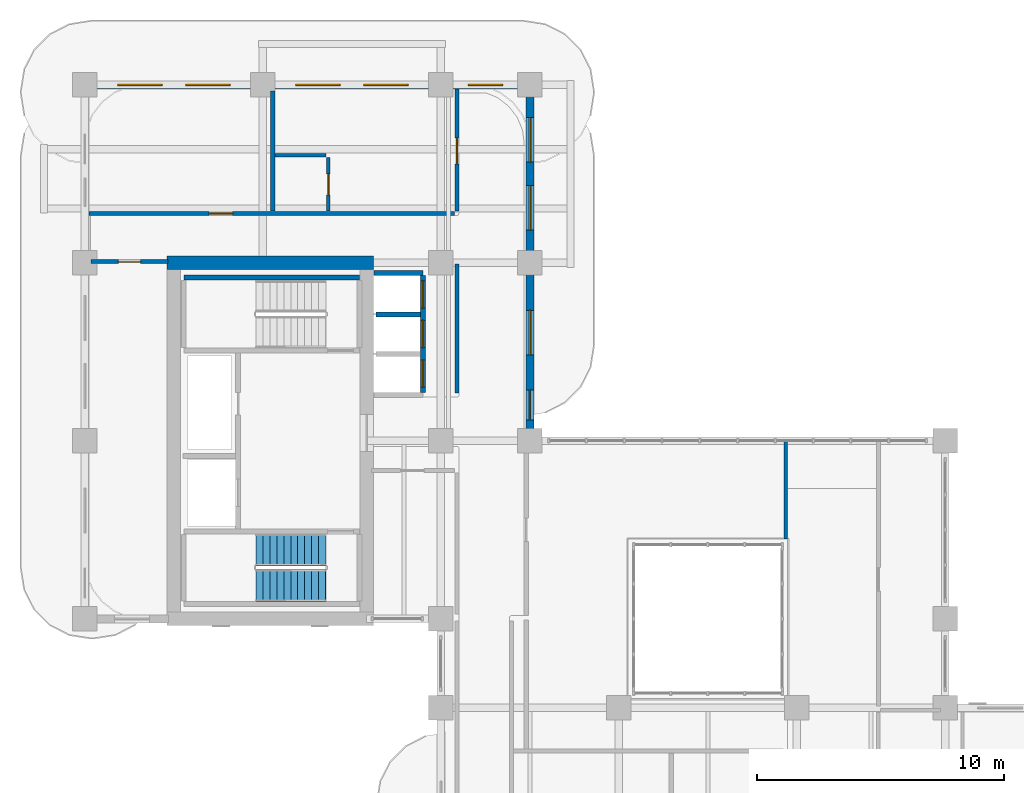
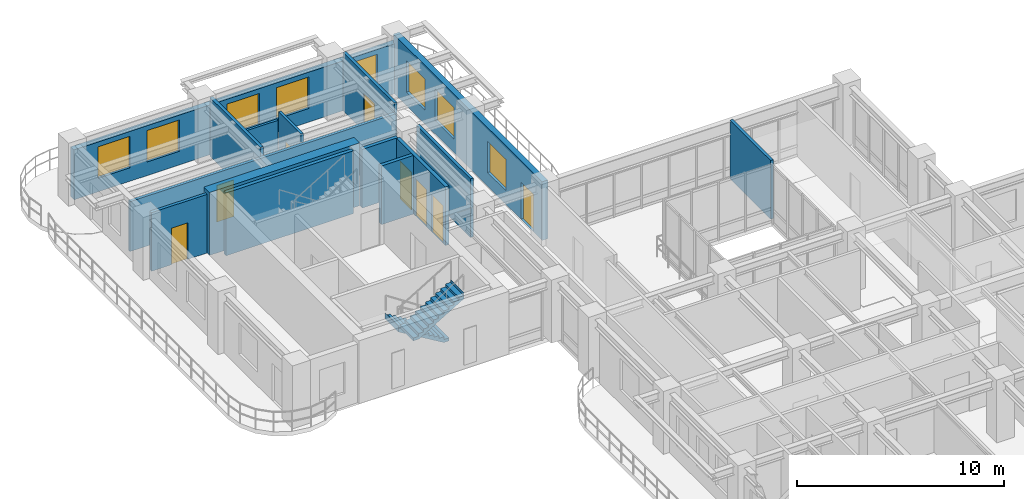
# One storey, part 15 of 20: 15 walls, 8 doors, 8 windows, 2 stair flights, 16 openings, 1 element without a shape of its own.
"""IFC4 building model written with IfcOpenShell, lengths in metres."""

from ifc_helpers import new_model, si_unit, derived_unit, direction, frame, frame_2d, origin, place, context, subcontext, project, spatial, polyline, rectangle, outline, extrude, source, transform, mapped, material, layer, layer_set, type_object, type_shapes, element, fill, aggregate, save


model = new_model("IFC4")

# Units and contexts
model_context = context("Model", 3, precision=1e-05, world=origin(), true_north=direction((0.0, 1.0)))
body_context = subcontext(model_context, "Body", "Model", "MODEL_VIEW")
ifc_project = project(units=[si_unit("LENGTHUNIT", "METRE"), si_unit("AREAUNIT", "SQUARE_METRE"), si_unit("VOLUMEUNIT", "CUBIC_METRE"), si_unit("PLANEANGLEUNIT", "RADIAN"), si_unit("MASSUNIT", "GRAM", prefix="KILO"), si_unit("THERMODYNAMICTEMPERATUREUNIT", "KELVIN"), si_unit("POWERUNIT", "WATT"), derived_unit("THERMALTRANSMITTANCEUNIT", [(si_unit("POWERUNIT", "WATT"), 1), (si_unit("AREAUNIT", "SQUARE_METRE"), -1), (si_unit("THERMODYNAMICTEMPERATUREUNIT", "KELVIN"), -1)])], contexts=[model_context])

# Site, building, storey
site_placement = place(None, origin())
site = spatial("IfcSite", under=ifc_project, at=site_placement, CompositionType="ELEMENT")
building_placement = place(site_placement, origin())
building = spatial("IfcBuilding", under=site, at=building_placement, Name="Zahravan Archway Hotel and Residences", CompositionType="ELEMENT")
storey_placement = place(building_placement, frame((0.0, 0.0, 115.5)))
storey = spatial("IfcBuildingStorey", under=building, at=storey_placement, Name="L28", CompositionType="ELEMENT", Elevation=115.5)

# Wall
ifc_material_1 = material(Name="Concrete C70/85", Category="concrete")
ifc_layer_1 = layer(ifc_material_1, 0.550048828125, Name="Concrete C70/85", Category="concrete")
ifc_layer_set_1 = layer_set([ifc_layer_1], Name="Concrete C70/85")
wall_type_1 = type_object("IfcWallType", Name="CW-CORE-550", PredefinedType="SHEAR", material=ifc_layer_set_1)
wall_1_placement = place(storey_placement, frame((3.324951171875, 39.60009765625, 0.0), z_axis=(0.0, 0.0, 1.0), x_axis=(1.0, 0.0, 0.0)))
element("IfcWall", 1, at=wall_1_placement, inside=storey, type_object=wall_type_1, Name="L28 Core B Shear N Wall 550 mm", PredefinedType="SHEAR", context=body_context, shape_type="SweptSolid", body=[
    extrude(rectangle(XDim=8.35009765625, YDim=0.550048828125, at=frame_2d((4.175048828125, 0.0))), origin(), (0.0, 0.0, 1.0), 3.699951171875),
])

# Wall, openings, windows
ifc_material_2 = material(Name="Agra Buff Sandstone & Insulated Backup", Category="masonry")
ifc_layer_2 = layer(ifc_material_2, 0.320068359375, Name="Agra Buff Sandstone & Insulated Backup", Category="masonry")
ifc_layer_set_2 = layer_set([ifc_layer_2], Name="Agra Buff Sandstone & Insulated Backup")
wall_type_2 = type_object("IfcWallType", Name="EW-SAND-320", PredefinedType="SOLIDWALL", material=ifc_layer_set_2)
wall_2_placement = place(storey_placement, frame((0.0, 46.800048828125, 0.0), z_axis=(0.0, 0.0, 1.0), x_axis=(1.0, 0.0, 0.0)))
wall_2 = element("IfcWall", 2, at=wall_2_placement, inside=storey, type_object=wall_type_2, Name="L28 Exterior Sandstone Wall WB-N", PredefinedType="SOLIDWALL", context=body_context, shape_type="SweptSolid", body=[
    extrude(rectangle(XDim=18.0, YDim=0.320068359375, at=frame_2d((9.0, 0.0))), origin(), (0.0, 0.0, 1.0), 2.93505859375),
])
opening_1_placement = place(wall_2_placement, frame((1.324951171875, 0.0, 0.800048828125)))
opening_1 = element("IfcOpeningElement", 3, at=opening_1_placement, cuts=wall_2, Name="Opening W-02", PredefinedType="OPENING", context=body_context, shape_type="SweptSolid", body=[
    extrude(rectangle(XDim=1.800048828125, YDim=1.85009765625, at=frame_2d((0.89990234375, 0.925048828125))), frame((0.0, 0.169921875, 0.0), z_axis=(0.0, -1.0, 0.0), x_axis=(1.0, 0.0, 0.0)), (0.0, 0.0, 1.0), 0.340087890625),
])
opening_2_placement = place(wall_2_placement, frame((4.074951171875, 0.0, 0.800048828125)))
opening_2 = element("IfcOpeningElement", 4, at=opening_2_placement, cuts=wall_2, Name="Opening W-02", PredefinedType="OPENING", context=body_context, shape_type="SweptSolid", body=[
    extrude(rectangle(XDim=1.800048828125, YDim=1.85009765625, at=frame_2d((0.89990234375, 0.925048828125))), frame((0.0, 0.169921875, 0.0), z_axis=(0.0, -1.0, 0.0), x_axis=(1.0, 0.0, 0.0)), (0.0, 0.0, 1.0), 0.340087890625),
])
opening_3_placement = place(wall_2_placement, frame((8.52490234375, 0.0, 0.800048828125)))
opening_3 = element("IfcOpeningElement", 5, at=opening_3_placement, cuts=wall_2, Name="Opening W-02", PredefinedType="OPENING", context=body_context, shape_type="SweptSolid", body=[
    extrude(rectangle(XDim=1.800048828125, YDim=1.85009765625, at=frame_2d((0.89990234375, 0.925048828125))), frame((0.0, 0.169921875, 0.0), z_axis=(0.0, -1.0, 0.0), x_axis=(1.0, 0.0, 0.0)), (0.0, 0.0, 1.0), 0.340087890625),
])
opening_4_placement = place(wall_2_placement, frame((11.27490234375, 0.0, 0.800048828125)))
opening_4 = element("IfcOpeningElement", 6, at=opening_4_placement, cuts=wall_2, Name="Opening W-02", PredefinedType="OPENING", context=body_context, shape_type="SweptSolid", body=[
    extrude(rectangle(XDim=1.800048828125, YDim=1.85009765625, at=frame_2d((0.89990234375, 0.925048828125))), frame((0.0, 0.169921875, 0.0), z_axis=(0.0, -1.0, 0.0), x_axis=(1.0, 0.0, 0.0)), (0.0, 0.0, 1.0), 0.340087890625),
])
opening_5_placement = place(wall_2_placement, frame((15.5, 0.0, 0.800048828125)))
opening_5 = element("IfcOpeningElement", 7, at=opening_5_placement, cuts=wall_2, Name="Opening W-03", PredefinedType="OPENING", context=body_context, shape_type="SweptSolid", body=[
    extrude(rectangle(XDim=1.39990234375, YDim=1.85009765625, at=frame_2d((0.699951171875, 0.925048828125))), frame((0.0, 0.169921875, 0.0), z_axis=(0.0, -1.0, 0.0), x_axis=(1.0, 0.0, 0.0)), (0.0, 0.0, 1.0), 0.340087890625),
])
ifc_material_3 = material(Name="Bronze-Anodized Thermal-Break Aluminium & Low-E Glass", Category="aluminium")
window_type_1 = type_object("IfcWindowType", Name="WIN-TWR-1400", PartitioningType="SINGLE_PANEL", PredefinedType="WINDOW", material=ifc_material_3)
shared_shape_1 = source(origin(), body_context, "Body", "SweptSolid", [
    extrude(rectangle(XDim=1.39990234375, YDim=1.85009765625, at=frame_2d((0.699951171875, 0.925048828125))), frame((0.0, 0.030029296875, 0.0), z_axis=(0.0, -1.0, 0.0), x_axis=(1.0, 0.0, 0.0)), (0.0, 0.0, 1.0), 0.06005859375),
])
type_shapes(window_type_1, [shared_shape_1])
window_1_placement = place(opening_5_placement, origin())
window_1 = element("IfcWindow", 8, at=window_1_placement, inside=storey, type_object=window_type_1, Name="L28 Loggia Window 30", OverallHeight=1.85009765625, OverallWidth=1.39990234375, PartitioningType="SINGLE_PANEL", PredefinedType="WINDOW", context=body_context, shape_type="MappedRepresentation", body=[
    mapped(shared_shape_1, transform((0.0, 0.0, 0.0), scale=1.0)),
])
fill(opening_5, window_1)
window_type_2 = type_object("IfcWindowType", Name="WIN-TWR-1800", PartitioningType="DOUBLE_PANEL_VERTICAL", PredefinedType="WINDOW", material=ifc_material_3)
shared_shape_2 = source(origin(), body_context, "Body", "SweptSolid", [
    extrude(rectangle(XDim=1.800048828125, YDim=1.85009765625, at=frame_2d((0.89990234375, 0.925048828125))), frame((0.0, 0.030029296875, 0.0), z_axis=(0.0, -1.0, 0.0), x_axis=(1.0, 0.0, 0.0)), (0.0, 0.0, 1.0), 0.06005859375),
])
type_shapes(window_type_2, [shared_shape_2])
window_2_placement = place(opening_1_placement, origin())
window_2 = element("IfcWindow", 9, at=window_2_placement, inside=storey, type_object=window_type_2, Name="L28 Loggia Window 26", OverallHeight=1.85009765625, OverallWidth=1.800048828125, PartitioningType="DOUBLE_PANEL_VERTICAL", PredefinedType="WINDOW", context=body_context, shape_type="MappedRepresentation", body=[
    mapped(shared_shape_2, transform((0.0, 0.0, 0.0), scale=1.0)),
])
fill(opening_1, window_2)
window_3_placement = place(opening_2_placement, origin())
window_3 = element("IfcWindow", 10, at=window_3_placement, inside=storey, type_object=window_type_2, Name="L28 Loggia Window 27", OverallHeight=1.85009765625, OverallWidth=1.800048828125, PartitioningType="DOUBLE_PANEL_VERTICAL", PredefinedType="WINDOW", context=body_context, shape_type="MappedRepresentation", body=[
    mapped(shared_shape_2, transform((0.0, 0.0, 0.0), scale=1.0)),
])
fill(opening_2, window_3)
window_4_placement = place(opening_3_placement, origin())
window_4 = element("IfcWindow", 11, at=window_4_placement, inside=storey, type_object=window_type_2, Name="L28 Loggia Window 28", OverallHeight=1.85009765625, OverallWidth=1.800048828125, PartitioningType="DOUBLE_PANEL_VERTICAL", PredefinedType="WINDOW", context=body_context, shape_type="MappedRepresentation", body=[
    mapped(shared_shape_2, transform((0.0, 0.0, 0.0), scale=1.0)),
])
fill(opening_3, window_4)
window_5_placement = place(opening_4_placement, origin())
window_5 = element("IfcWindow", 12, at=window_5_placement, inside=storey, type_object=window_type_2, Name="L28 Loggia Window 29", OverallHeight=1.85009765625, OverallWidth=1.800048828125, PartitioningType="DOUBLE_PANEL_VERTICAL", PredefinedType="WINDOW", context=body_context, shape_type="MappedRepresentation", body=[
    mapped(shared_shape_2, transform((0.0, 0.0, 0.0), scale=1.0)),
])
fill(opening_4, window_5)

# Wall, openings, door, windows
wall_3_placement = place(storey_placement, frame((18.0, 32.39990234375, 0.0), z_axis=(0.0, 0.0, 1.0), x_axis=(0.0, 1.0, 0.0)))
wall_3 = element("IfcWall", 13, at=wall_3_placement, inside=storey, type_object=wall_type_2, Name="L28 Exterior Sandstone Wall WB-EU", PredefinedType="SOLIDWALL", context=body_context, shape_type="SweptSolid", body=[
    extrude(rectangle(XDim=14.35009765625, YDim=0.320068359375, at=frame_2d((7.175048828125, 0.0))), origin(), (0.0, 0.0, 1.0), 3.449951171875),
])
opening_6_placement = place(wall_3_placement, frame((0.85009765625, 0.0, 0.0)))
opening_6 = element("IfcOpeningElement", 14, at=opening_6_placement, cuts=wall_3, Name="Opening ED-BL1", PredefinedType="OPENING", context=body_context, shape_type="SweptSolid", body=[
    extrude(rectangle(XDim=1.199951171875, YDim=2.199951171875, at=frame_2d((0.60009765625, 1.10009765625))), frame((0.0, 0.169921875, 0.0), z_axis=(0.0, -1.0, 0.0), x_axis=(1.0, 0.0, 0.0)), (0.0, 0.0, 1.0), 0.340087890625),
])
opening_7_placement = place(wall_3_placement, frame((3.47509765625, 0.0, 0.800048828125)))
opening_7 = element("IfcOpeningElement", 15, at=opening_7_placement, cuts=wall_3, Name="Opening W-02", PredefinedType="OPENING", context=body_context, shape_type="SweptSolid", body=[
    extrude(rectangle(XDim=1.800048828125, YDim=1.85009765625, at=frame_2d((0.89990234375, 0.925048828125))), frame((0.0, 0.169921875, 0.0), z_axis=(0.0, -1.0, 0.0), x_axis=(1.0, 0.0, 0.0)), (0.0, 0.0, 1.0), 0.340087890625),
])
opening_8_placement = place(wall_3_placement, frame((8.52490234375, 0.0, 0.800048828125)))
opening_8 = element("IfcOpeningElement", 16, at=opening_8_placement, cuts=wall_3, Name="Opening W-02", PredefinedType="OPENING", context=body_context, shape_type="SweptSolid", body=[
    extrude(rectangle(XDim=1.800048828125, YDim=1.85009765625, at=frame_2d((0.89990234375, 0.925048828125))), frame((0.0, 0.169921875, 0.0), z_axis=(0.0, -1.0, 0.0), x_axis=(1.0, 0.0, 0.0)), (0.0, 0.0, 1.0), 0.340087890625),
])
opening_9_placement = place(wall_3_placement, frame((11.27490234375, 0.0, 0.800048828125)))
opening_9 = element("IfcOpeningElement", 17, at=opening_9_placement, cuts=wall_3, Name="Opening W-02", PredefinedType="OPENING", context=body_context, shape_type="SweptSolid", body=[
    extrude(rectangle(XDim=1.800048828125, YDim=1.85009765625, at=frame_2d((0.89990234375, 0.925048828125))), frame((0.0, 0.169921875, 0.0), z_axis=(0.0, -1.0, 0.0), x_axis=(1.0, 0.0, 0.0)), (0.0, 0.0, 1.0), 0.340087890625),
])
ifc_material_4 = material(Name="Bronze-Anodized Glazed Aluminium", Category="aluminium")
door_type_1 = type_object("IfcDoorType", Name="ED-BALC-1200", OperationType="SLIDING_TO_LEFT", PredefinedType="DOOR", material=ifc_material_4)
shared_shape_3 = source(origin(), body_context, "Body", "SweptSolid", [
    extrude(rectangle(XDim=1.199951171875, YDim=2.199951171875, at=frame_2d((0.60009765625, 1.10009765625))), frame((0.0, 0.02490234375, 0.0), z_axis=(0.0, -1.0, 0.0), x_axis=(1.0, 0.0, 0.0)), (0.0, 0.0, 1.0), 0.050048828125),
])
type_shapes(door_type_1, [shared_shape_3])
door_1_placement = place(opening_6_placement, origin())
door_1 = element("IfcDoor", 18, at=door_1_placement, inside=storey, type_object=door_type_1, Name="L28 Outdoor Access Sliding Door (SLB-BAL-L28-EB)", OperationType="SLIDING_TO_LEFT", OverallHeight=2.199951171875, OverallWidth=1.199951171875, PredefinedType="DOOR", context=body_context, shape_type="MappedRepresentation", body=[
    mapped(shared_shape_3, transform((0.0, 0.0, 0.0), scale=1.0)),
])
fill(opening_6, door_1)
window_6_placement = place(opening_7_placement, origin())
window_6 = element("IfcWindow", 19, at=window_6_placement, inside=storey, type_object=window_type_2, Name="L28 Loggia Window 31", OverallHeight=1.85009765625, OverallWidth=1.800048828125, PartitioningType="DOUBLE_PANEL_VERTICAL", PredefinedType="WINDOW", context=body_context, shape_type="MappedRepresentation", body=[
    mapped(shared_shape_2, transform((0.0, 0.0, 0.0), scale=1.0)),
])
fill(opening_7, window_6)
window_7_placement = place(opening_8_placement, origin())
window_7 = element("IfcWindow", 20, at=window_7_placement, inside=storey, type_object=window_type_2, Name="L28 Loggia Window 32", OverallHeight=1.85009765625, OverallWidth=1.800048828125, PartitioningType="DOUBLE_PANEL_VERTICAL", PredefinedType="WINDOW", context=body_context, shape_type="MappedRepresentation", body=[
    mapped(shared_shape_2, transform((0.0, 0.0, 0.0), scale=1.0)),
])
fill(opening_8, window_7)
window_8_placement = place(opening_9_placement, origin())
window_8 = element("IfcWindow", 21, at=window_8_placement, inside=storey, type_object=window_type_2, Name="L28 Loggia Window 33", OverallHeight=1.85009765625, OverallWidth=1.800048828125, PartitioningType="DOUBLE_PANEL_VERTICAL", PredefinedType="WINDOW", context=body_context, shape_type="MappedRepresentation", body=[
    mapped(shared_shape_2, transform((0.0, 0.0, 0.0), scale=1.0)),
])
fill(opening_9, window_8)

# Wall
ifc_material_5 = material(Name="Fire-Rated Gypsum & Concrete Block", Category="concrete")
ifc_layer_3 = layer(ifc_material_5, 0.159912109375, Name="Fire-Rated Gypsum & Concrete Block", Category="concrete")
ifc_layer_set_3 = layer_set([ifc_layer_3], Name="Fire-Rated Gypsum & Concrete Block")
wall_type_3 = type_object("IfcWallType", Name="PW-CORR-160", PredefinedType="PARTITIONING", material=ifc_layer_set_3)
wall_4_placement = place(storey_placement, frame((15.050048828125, 34.340087890625, 0.0), z_axis=(0.0, 0.0, 1.0), x_axis=(0.0, 1.0, 0.0)))
element("IfcWall", 22, at=wall_4_placement, inside=storey, type_object=wall_type_3, Name="L28 Partition WBN-CL", PredefinedType="PARTITIONING", context=body_context, shape_type="SweptSolid", body=[
    extrude(rectangle(XDim=5.219970703125, YDim=0.159912109375, at=frame_2d((2.60986328125, 0.0))), origin(), (0.0, 0.0, 1.0), 3.449951171875),
])

# Wall, opening, door
wall_5_placement = place(storey_placement, frame((15.050048828125, 41.68994140625, 0.0), z_axis=(0.0, 0.0, 1.0), x_axis=(0.0, 1.0, 0.0)))
wall_5 = element("IfcWall", 23, at=wall_5_placement, inside=storey, type_object=wall_type_3, Name="L28 Partition WBN-CU", PredefinedType="PARTITIONING", context=body_context, shape_type="SweptSolid", body=[
    extrude(rectangle(XDim=4.942138671875, YDim=0.159912109375, at=frame_2d((2.47119140625, 0.0))), origin(), (0.0, 0.0, 1.0), 3.449951171875),
])
opening_10_placement = place(wall_5_placement, frame((1.909912109375, 0.0, 0.0)))
opening_10 = element("IfcOpeningElement", 24, at=opening_10_placement, cuts=wall_5, Name="Opening D-U1", PredefinedType="OPENING", context=body_context, shape_type="SweptSolid", body=[
    extrude(rectangle(XDim=1.050048828125, YDim=2.25, at=frame_2d((0.52490234375, 1.125))), frame((0.0, 0.08984375, 0.0), z_axis=(0.0, -1.0, 0.0), x_axis=(1.0, 0.0, 0.0)), (0.0, 0.0, 1.0), 0.179931640625),
])
ifc_material_6 = material(Name="Hardwood Veneer Timber", Category="wood")
door_type_2 = type_object("IfcDoorType", Name="ID-UNIT-1050", OperationType="NOTDEFINED", PredefinedType="DOOR", material=ifc_material_6)
shared_shape_4 = source(origin(), body_context, "Body", "SweptSolid", [
    extrude(rectangle(XDim=1.050048828125, YDim=2.25, at=frame_2d((0.52490234375, 1.125))), frame((0.0, 0.02490234375, 0.0), z_axis=(0.0, -1.0, 0.0), x_axis=(1.0, 0.0, 0.0)), (0.0, 0.0, 1.0), 0.050048828125),
])
type_shapes(door_type_2, [shared_shape_4])
door_2_placement = place(opening_10_placement, origin())
door_2 = element("IfcDoor", 25, at=door_2_placement, inside=storey, type_object=door_type_2, Name="L28 Hotel Guestroom 78 Entrance Door", OperationType="SINGLE_SWING_LEFT", OverallHeight=2.25, OverallWidth=1.050048828125, PredefinedType="DOOR", context=body_context, shape_type="MappedRepresentation", body=[
    mapped(shared_shape_4, transform((0.0, 0.0, 0.0), scale=1.0)),
])
fill(opening_10, door_2)

wall_6_placement = place(storey_placement, frame((0.16796875, 41.60009765625, 0.0), z_axis=(0.0, 0.0, 1.0), x_axis=(1.0, 0.0, 0.0)))
wall_6 = element("IfcWall", 26, at=wall_6_placement, inside=storey, type_object=wall_type_3, Name="L28 Partition WBN-S2", PredefinedType="PARTITIONING", context=body_context, shape_type="SweptSolid", body=[
    extrude(rectangle(XDim=14.7919921875, YDim=0.159912109375, at=frame_2d((7.39599609375, 0.0))), origin(), (0.0, 0.0, 1.0), 2.93505859375),
])
opening_11_placement = place(wall_6_placement, frame((4.85693359375, 0.0, 0.0)))
opening_11 = element("IfcOpeningElement", 27, at=opening_11_placement, cuts=wall_6, Name="Opening D-I1", PredefinedType="OPENING", context=body_context, shape_type="SweptSolid", body=[
    extrude(rectangle(XDim=0.949951171875, YDim=2.14990234375, at=frame_2d((0.47509765625, 1.074951171875))), frame((0.0, 0.08984375, 0.0), z_axis=(0.0, -1.0, 0.0), x_axis=(1.0, 0.0, 0.0)), (0.0, 0.0, 1.0), 0.179931640625),
])
door_type_3 = type_object("IfcDoorType", Name="ID-INT-950", OperationType="NOTDEFINED", PredefinedType="DOOR", material=ifc_material_6)
shared_shape_5 = source(origin(), body_context, "Body", "SweptSolid", [
    extrude(rectangle(XDim=0.949951171875, YDim=2.14990234375, at=frame_2d((0.47509765625, 1.074951171875))), frame((0.0, 0.02490234375, 0.0), z_axis=(0.0, -1.0, 0.0), x_axis=(1.0, 0.0, 0.0)), (0.0, 0.0, 1.0), 0.050048828125),
])
type_shapes(door_type_3, [shared_shape_5])
door_3_placement = place(opening_11_placement, origin())
door_3 = element("IfcDoor", 28, at=door_3_placement, inside=storey, type_object=door_type_3, Name="L28 North West Study Door", OperationType="SINGLE_SWING_LEFT", OverallHeight=2.14990234375, OverallWidth=0.949951171875, PredefinedType="DOOR", context=body_context, shape_type="MappedRepresentation", body=[
    mapped(shared_shape_5, transform((0.0, 0.0, 0.0), scale=1.0)),
])
fill(opening_11, door_3)

# Walls
wall_7_placement = place(storey_placement, frame((28.35009765625, 28.43994140625, 0.0), z_axis=(0.0, 0.0, 1.0), x_axis=(0.0, 1.0, 0.0)))
element("IfcWall", 29, at=wall_7_placement, inside=storey, type_object=wall_type_3, Name="L28 Partition ATR-NWE", PredefinedType="PARTITIONING", context=body_context, shape_type="SweptSolid", body=[
    extrude(rectangle(XDim=3.93212890625, YDim=0.159912109375, at=frame_2d((1.966064453125, 0.0))), origin(), (0.0, 0.0, 1.0), 3.449951171875),
])
ifc_layer_4 = layer(ifc_material_5, 0.199951171875, Name="Fire-Rated Gypsum & Concrete Block", Category="concrete")
ifc_layer_set_4 = layer_set([ifc_layer_4], Name="Fire-Rated Gypsum & Concrete Block")
wall_type_4 = type_object("IfcWallType", Name="PW-SHAFT-200", PredefinedType="PARTITIONING", material=ifc_layer_set_4)
wall_8_placement = place(storey_placement, frame((11.68505859375, 39.18994140625, 0.0), z_axis=(0.0, 0.0, 1.0), x_axis=(1.0, 0.0, 0.0)))
element("IfcWall", 30, at=wall_8_placement, inside=storey, type_object=wall_type_4, Name="L28 Partition B2-N", PredefinedType="PARTITIONING", context=body_context, shape_type="SweptSolid", body=[
    extrude(rectangle(XDim=1.98486328125, YDim=0.199951171875, at=frame_2d((0.992431640625, 0.0))), origin(), (0.0, 0.0, 1.0), 3.449951171875),
])

# Wall, openings, doors
wall_9_placement = place(storey_placement, frame((13.679931640625, 34.360107421875, 0.0), z_axis=(0.0, 0.0, 1.0), x_axis=(0.0, 1.0, 0.0)))
wall_9 = element("IfcWall", 31, at=wall_9_placement, inside=storey, type_object=wall_type_4, Name="L28 Partition B2-E", PredefinedType="PARTITIONING", context=body_context, shape_type="SweptSolid", body=[
    extrude(rectangle(XDim=4.719970703125, YDim=0.199951171875, at=frame_2d((2.35986328125, 0.0))), origin(), (0.0, 0.0, 1.0), 3.449951171875),
])
opening_12_placement = place(wall_9_placement, frame((0.2099609375, 0.0, 0.0)))
opening_12 = element("IfcOpeningElement", 32, at=opening_12_placement, cuts=wall_9, Name="Opening LD", PredefinedType="OPENING", context=body_context, shape_type="SweptSolid", body=[
    extrude(rectangle(XDim=1.10009765625, YDim=2.199951171875, at=frame_2d((0.550048828125, 1.10009765625))), frame((0.0, 0.10986328125, 0.0), z_axis=(0.0, -1.0, 0.0), x_axis=(1.0, 0.0, 0.0)), (0.0, 0.0, 1.0), 0.219970703125),
])
opening_13_placement = place(wall_9_placement, frame((1.81005859375, 0.0, 0.0)))
opening_13 = element("IfcOpeningElement", 33, at=opening_13_placement, cuts=wall_9, Name="Opening LD", PredefinedType="OPENING", context=body_context, shape_type="SweptSolid", body=[
    extrude(rectangle(XDim=1.10009765625, YDim=2.199951171875, at=frame_2d((0.550048828125, 1.10009765625))), frame((0.0, 0.10986328125, 0.0), z_axis=(0.0, -1.0, 0.0), x_axis=(1.0, 0.0, 0.0)), (0.0, 0.0, 1.0), 0.219970703125),
])
opening_14_placement = place(wall_9_placement, frame((3.409912109375, 0.0, 0.0)))
opening_14 = element("IfcOpeningElement", 34, at=opening_14_placement, cuts=wall_9, Name="Opening LD", PredefinedType="OPENING", context=body_context, shape_type="SweptSolid", body=[
    extrude(rectangle(XDim=1.10009765625, YDim=2.199951171875, at=frame_2d((0.550048828125, 1.10009765625))), frame((0.0, 0.10986328125, 0.0), z_axis=(0.0, -1.0, 0.0), x_axis=(1.0, 0.0, 0.0)), (0.0, 0.0, 1.0), 0.219970703125),
])
ifc_material_7 = material(Name="Brushed Stainless Steel", Category="steel")
door_type_4 = type_object("IfcDoorType", Name="DR-LIFT-LD", OperationType="SLIDING_TO_LEFT", PredefinedType="DOOR", material=ifc_material_7)
shared_shape_6 = source(origin(), body_context, "Body", "SweptSolid", [
    extrude(rectangle(XDim=1.10009765625, YDim=2.199951171875, at=frame_2d((0.550048828125, 1.10009765625))), frame((0.0, 0.02490234375, 0.0), z_axis=(0.0, -1.0, 0.0), x_axis=(1.0, 0.0, 0.0)), (0.0, 0.0, 1.0), 0.050048828125),
])
type_shapes(door_type_4, [shared_shape_6])
door_4_placement = place(opening_12_placement, origin())
door_4 = element("IfcDoor", 35, at=door_4_placement, inside=storey, type_object=door_type_4, Name="L28 Lift LP-4 Sliding Landing Door", OperationType="SLIDING_TO_LEFT", OverallHeight=2.199951171875, OverallWidth=1.10009765625, PredefinedType="DOOR", context=body_context, shape_type="MappedRepresentation", body=[
    mapped(shared_shape_6, transform((0.0, 0.0, 0.0), scale=1.0)),
])
fill(opening_12, door_4)
door_5_placement = place(opening_13_placement, origin())
door_5 = element("IfcDoor", 36, at=door_5_placement, inside=storey, type_object=door_type_4, Name="L28 Lift LP-5 Sliding Landing Door", OperationType="SLIDING_TO_LEFT", OverallHeight=2.199951171875, OverallWidth=1.10009765625, PredefinedType="DOOR", context=body_context, shape_type="MappedRepresentation", body=[
    mapped(shared_shape_6, transform((0.0, 0.0, 0.0), scale=1.0)),
])
fill(opening_13, door_5)
door_6_placement = place(opening_14_placement, origin())
door_6 = element("IfcDoor", 37, at=door_6_placement, inside=storey, type_object=door_type_4, Name="L28 Lift LP-6 Sliding Landing Door", OperationType="SLIDING_TO_LEFT", OverallHeight=2.199951171875, OverallWidth=1.10009765625, PredefinedType="DOOR", context=body_context, shape_type="MappedRepresentation", body=[
    mapped(shared_shape_6, transform((0.0, 0.0, 0.0), scale=1.0)),
])
fill(opening_14, door_6)

# Wall
wall_10_placement = place(storey_placement, frame((11.784912109375, 37.52001953125, 0.0), z_axis=(0.0, 0.0, 1.0), x_axis=(1.0, 0.0, 0.0)))
element("IfcWall", 38, at=wall_10_placement, inside=storey, type_object=wall_type_4, Name="L28 Partition B2-D", PredefinedType="PARTITIONING", context=body_context, shape_type="SweptSolid", body=[
    extrude(rectangle(XDim=1.78515625, YDim=0.199951171875, at=frame_2d((0.892578125, 0.0))), origin(), (0.0, 0.0, 1.0), 3.449951171875),
])

# Wall, opening, door
ifc_material_8 = material(Name="Acoustic Stud Partition")
ifc_layer_5 = layer(ifc_material_8, 0.169921875, Name="Acoustic Stud Partition")
ifc_layer_set_5 = layer_set([ifc_layer_5], Name="Acoustic Stud Partition")
wall_type_5 = type_object("IfcWallType", Name="PW-UNIT-170", PredefinedType="PARTITIONING", material=ifc_layer_set_5)
wall_11_placement = place(storey_placement, frame((0.239990234375, 39.64990234375, 0.0), z_axis=(0.0, 0.0, 1.0), x_axis=(1.0, 0.0, 0.0)))
wall_11 = element("IfcWall", 39, at=wall_11_placement, inside=storey, type_object=wall_type_5, Name="L28 Partition WBW-N", PredefinedType="PARTITIONING", context=body_context, shape_type="SweptSolid", body=[
    extrude(rectangle(XDim=3.1201171875, YDim=0.169921875, at=frame_2d((1.56005859375, 0.0))), origin(), (0.0, 0.0, 1.0), 3.449951171875),
])
opening_15_placement = place(wall_11_placement, frame((1.110107421875, 0.0, 0.0)))
opening_15 = element("IfcOpeningElement", 40, at=opening_15_placement, cuts=wall_11, Name="Opening D-I2", PredefinedType="OPENING", context=body_context, shape_type="SweptSolid", body=[
    extrude(rectangle(XDim=0.89990234375, YDim=2.14990234375, at=frame_2d((0.449951171875, 1.074951171875))), frame((0.0, 0.094970703125, 0.0), z_axis=(0.0, -1.0, 0.0), x_axis=(1.0, 0.0, 0.0)), (0.0, 0.0, 1.0), 0.18994140625),
])
door_type_5 = type_object("IfcDoorType", Name="ID-INT-900", OperationType="NOTDEFINED", PredefinedType="DOOR", material=ifc_material_6)
shared_shape_7 = source(origin(), body_context, "Body", "SweptSolid", [
    extrude(rectangle(XDim=0.89990234375, YDim=2.14990234375, at=frame_2d((0.449951171875, 1.074951171875))), frame((0.0, 0.02490234375, 0.0), z_axis=(0.0, -1.0, 0.0), x_axis=(1.0, 0.0, 0.0)), (0.0, 0.0, 1.0), 0.050048828125),
])
type_shapes(door_type_5, [shared_shape_7])
door_7_placement = place(opening_15_placement, origin())
door_7 = element("IfcDoor", 41, at=door_7_placement, inside=storey, type_object=door_type_5, Name="L28 West Loggia Salon Door", OperationType="SINGLE_SWING_RIGHT", OverallHeight=2.14990234375, OverallWidth=0.89990234375, PredefinedType="DOOR", context=body_context, shape_type="MappedRepresentation", body=[
    mapped(shared_shape_7, transform((0.0, 0.0, 0.0), scale=1.0)),
])
fill(opening_15, door_7)

# Walls
wall_12_placement = place(storey_placement, frame((7.60009765625, 41.68994140625, 0.0), z_axis=(0.0, 0.0, 1.0), x_axis=(0.0, 1.0, 0.0)))
element("IfcWall", 42, at=wall_12_placement, inside=storey, type_object=wall_type_5, Name="L28 Partition WBN-V2", PredefinedType="PARTITIONING", context=body_context, shape_type="SweptSolid", body=[
    extrude(rectangle(XDim=4.8701171875, YDim=0.169921875, at=frame_2d((2.43505859375, 0.0))), origin(), (0.0, 0.0, 1.0), 3.449951171875),
])
ifc_material_9 = material(Name="Moisture-Resistant Blockwork", Category="masonry")
ifc_layer_6 = layer(ifc_material_9, 0.139892578125, Name="Moisture-Resistant Blockwork", Category="masonry")
ifc_layer_set_6 = layer_set([ifc_layer_6], Name="Moisture-Resistant Blockwork")
wall_type_6 = type_object("IfcWallType", Name="PW-WET-140", PredefinedType="PARTITIONING", material=ifc_layer_set_6)
wall_13_placement = place(storey_placement, frame((7.68994140625, 43.949951171875, 0.0), z_axis=(0.0, 0.0, 1.0), x_axis=(1.0, 0.0, 0.0)))
element("IfcWall", 43, at=wall_13_placement, inside=storey, type_object=wall_type_6, Name="L28 Partition HKB-H78", PredefinedType="PARTITIONING", context=body_context, shape_type="SweptSolid", body=[
    extrude(rectangle(XDim=2.070068359375, YDim=0.139892578125, at=frame_2d((1.03515625, 0.0))), origin(), (0.0, 0.0, 1.0), 2.93505859375),
])

# Wall, opening, door
wall_14_placement = place(storey_placement, frame((9.85009765625, 41.68994140625, 0.0), z_axis=(0.0, 0.0, 1.0), x_axis=(0.0, 1.0, 0.0)))
wall_14 = element("IfcWall", 44, at=wall_14_placement, inside=storey, type_object=wall_type_6, Name="L28 Partition HKB-V78", PredefinedType="PARTITIONING", context=body_context, shape_type="SweptSolid", body=[
    extrude(rectangle(XDim=2.170166015625, YDim=0.139892578125, at=frame_2d((1.0849609375, 0.0))), origin(), (0.0, 0.0, 1.0), 3.449951171875),
])
opening_16_placement = place(wall_14_placement, frame((0.659912109375, 0.0, 0.0)))
opening_16 = element("IfcOpeningElement", 45, at=opening_16_placement, cuts=wall_14, Name="Opening D-B1", PredefinedType="OPENING", context=body_context, shape_type="SweptSolid", body=[
    extrude(rectangle(XDim=0.85009765625, YDim=2.10009765625, at=frame_2d((0.425048828125, 1.050048828125))), frame((0.0, 0.080078125, 0.0), z_axis=(0.0, -1.0, 0.0), x_axis=(1.0, 0.0, 0.0)), (0.0, 0.0, 1.0), 0.159912109375),
])
door_type_6 = type_object("IfcDoorType", Name="ID-BATH-850", OperationType="NOTDEFINED", PredefinedType="DOOR", material=ifc_material_6)
shared_shape_8 = source(origin(), body_context, "Body", "SweptSolid", [
    extrude(rectangle(XDim=0.85009765625, YDim=2.10009765625, at=frame_2d((0.425048828125, 1.050048828125))), frame((0.0, 0.02490234375, 0.0), z_axis=(0.0, -1.0, 0.0), x_axis=(1.0, 0.0, 0.0)), (0.0, 0.0, 1.0), 0.050048828125),
])
type_shapes(door_type_6, [shared_shape_8])
door_8_placement = place(opening_16_placement, origin())
door_8 = element("IfcDoor", 46, at=door_8_placement, inside=storey, type_object=door_type_6, Name="L28 Guestroom 78 En-Suite Door", OperationType="SINGLE_SWING_RIGHT", OverallHeight=2.10009765625, OverallWidth=0.85009765625, PredefinedType="DOOR", context=body_context, shape_type="MappedRepresentation", body=[
    mapped(shared_shape_8, transform((0.0, 0.0, 0.0), scale=1.0)),
])
fill(opening_16, door_8)

# Wall
ifc_material_10 = material(Name="Concrete C50/60", Category="concrete")
ifc_layer_7 = layer(ifc_material_10, 0.199951171875, Name="Concrete C50/60", Category="concrete")
ifc_layer_set_7 = layer_set([ifc_layer_7], Name="Concrete C50/60")
wall_type_7 = type_object("IfcWallType", Name="SW-STAIR-200", PredefinedType="SHEAR", material=ifc_layer_set_7)
wall_15_placement = place(storey_placement, frame((4.0, 39.0, 0.0), z_axis=(0.0, 0.0, 1.0), x_axis=(1.0, 0.0, 0.0)))
element("IfcWall", 47, at=wall_15_placement, inside=storey, type_object=wall_type_7, Name="L28 Stairwell RC Wall CB-SB2N", PredefinedType="SHEAR", context=body_context, shape_type="SweptSolid", body=[
    extrude(rectangle(XDim=7.10009765625, YDim=0.199951171875, at=frame_2d((3.550048828125, 0.0))), origin(), (0.0, 0.0, 1.0), 3.699951171875),
])

# Stair, stair flights
stair_type = type_object("IfcStairType", Name="STR-CORE-1300", PredefinedType="HALF_TURN_STAIR", material=ifc_material_10)
stair_placement = place(storey_placement, origin())
stair = element("IfcStair", 48, at=stair_placement, inside=storey, type_object=stair_type, Name="L28 Core B Exit Stair 1", PredefinedType="HALF_TURN_STAIR")
ifc_layer_8 = layer(ifc_material_10, 0.199951171875, Name="Concrete C50/60", Category="concrete")
ifc_layer_set_8 = layer_set([ifc_layer_8], Name="Concrete C50/60")
stair_flight_type = type_object("IfcStairFlightType", Name="SFL-CORE-1300", PredefinedType="STRAIGHT", material=ifc_layer_set_8)
shared_shape_9 = source(origin(), body_context, "Body", "SweptSolid", [
    extrude(outline(polyline([(-0.01611328125, 0.0), (-0.01611328125, 0.168212890625), (0.280029296875, 0.168212890625), (0.280029296875, 0.33642578125), (0.56005859375, 0.33642578125), (0.56005859375, 0.504638671875), (0.840087890625, 0.504638671875), (0.840087890625, 0.672607421875), (1.1201171875, 0.672607421875), (1.1201171875, 0.8408203125), (1.39990234375, 0.8408203125), (1.39990234375, 1.009033203125), (1.679931640625, 1.009033203125), (1.679931640625, 1.17724609375), (1.9599609375, 1.17724609375), (1.9599609375, 1.345458984375), (2.239990234375, 1.345458984375), (2.239990234375, 1.513671875), (2.52001953125, 1.513671875), (2.52001953125, 1.681884765625), (2.800048828125, 1.681884765625), (2.800048828125, 1.85009765625), (2.816162109375, 1.85009765625), (2.816162109375, 1.5068359375), (0.291015625, 0.0), (-0.01611328125, 0.0)])), frame((0.0, 0.64990234375, 0.0), z_axis=(0.0, -1.0, 0.0), x_axis=(1.0, 0.0, 0.0)), (0.0, 0.0, 1.0), 1.300048828125),
])
stair_flight_1_placement = place(storey_placement, frame((9.72998046875, 27.989990234375, 0.0), z_axis=(0.0, 0.0, 1.0), x_axis=(-1.0, 0.0, 0.0)))
stair_flight_1 = element("IfcStairFlight", 49, at=stair_flight_1_placement, type_object=stair_flight_type, Name="ST-B1 flight 1", NumberOfRisers=11, NumberOfTreads=10, PredefinedType="STRAIGHT", RiserHeight=0.168181818, TreadLength=0.28, context=body_context, shape_type="MappedRepresentation", body=[
    mapped(shared_shape_9, transform((0.0, 0.0, 0.0), scale=1.0)),
])
stair_flight_2_placement = place(storey_placement, frame((6.929931640625, 26.550048828125, 1.85009765625), z_axis=(0.0, 0.0, 1.0), x_axis=(1.0, 0.0, 0.0)))
stair_flight_2 = element("IfcStairFlight", 50, at=stair_flight_2_placement, type_object=stair_flight_type, Name="ST-B1 flight 2", NumberOfRisers=11, NumberOfTreads=10, PredefinedType="STRAIGHT", RiserHeight=0.168181818, TreadLength=0.28, context=body_context, shape_type="MappedRepresentation", body=[
    mapped(shared_shape_9, transform((0.0, 0.0, 0.0), scale=1.0)),
])
aggregate(stair, [stair_flight_1, stair_flight_2])

save(model, "model.ifc")
